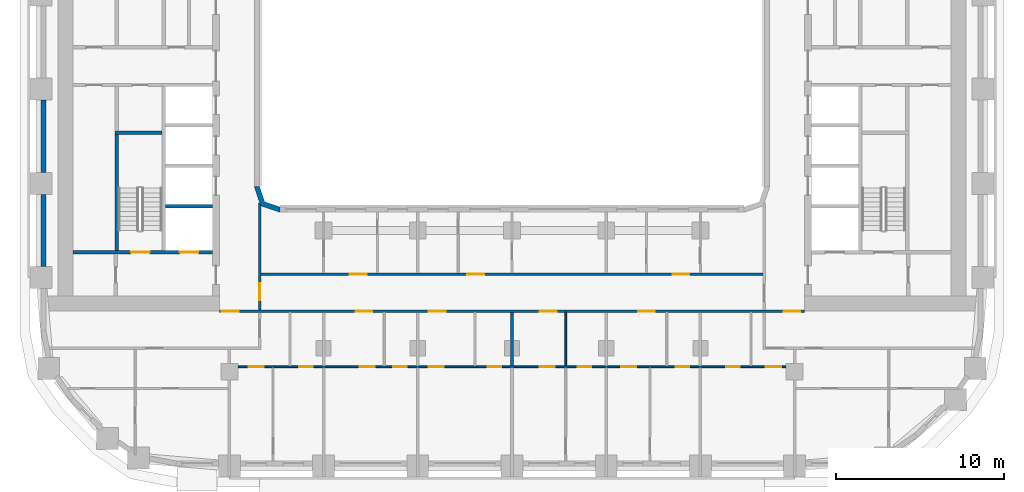
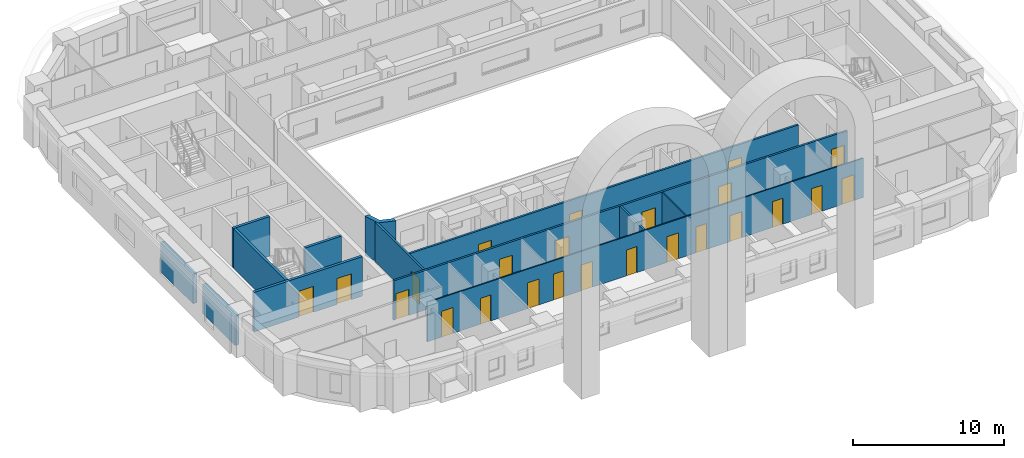
# One storey, part 3 of 19: 24 doors, 13 walls, 24 openings.
"""IFC4 building model written with IfcOpenShell, lengths in metres."""

from ifc_helpers import new_model, si_unit, direction, frame, frame_2d, origin, place, context, subcontext, project, spatial, polyline, rectangle, outline, extrude, material, layer, layer_set, type_object, element, fill, save


model = new_model("IFC4")

# Units and contexts
model_context = context("Model", 3, precision=1e-05, world=origin(), true_north=direction((0.0, 1.0)))
body_context = subcontext(model_context, "Body", "Model", "MODEL_VIEW")
ifc_project = project(units=[si_unit("LENGTHUNIT", "METRE"), si_unit("AREAUNIT", "SQUARE_METRE"), si_unit("VOLUMEUNIT", "CUBIC_METRE"), si_unit("PLANEANGLEUNIT", "RADIAN"), si_unit("MASSUNIT", "GRAM", prefix="KILO")], contexts=[model_context])

# Site, building, storey
site_placement = place(None, origin())
site = spatial("IfcSite", under=ifc_project, at=site_placement, CompositionType="ELEMENT")
building_placement = place(site_placement, origin())
building = spatial("IfcBuilding", under=site, at=building_placement, Name="Kiln Ring Residences", CompositionType="ELEMENT")
storey_placement = place(building_placement, frame((0.0, 0.0, 104.300048828125)))
storey = spatial("IfcBuildingStorey", under=building, at=storey_placement, Name="L26", CompositionType="ELEMENT", Elevation=104.300048828125)

# Wall
ifc_material_1 = material(Name="Gypsum shaft wall system")
ifc_layer_1 = layer(ifc_material_1, 0.199951171875)
ifc_layer_set_1 = layer_set([ifc_layer_1], Name="CORE-SHAFT-WALL-200")
wall_type_1 = type_object("IfcWallType", Name="CORE-SHAFT-WALL-200", PredefinedType="PARTITIONING", material=ifc_layer_set_1)
wall_1_placement = place(storey_placement, frame((-17.800048828125, -6.949951171875, 0.0), z_axis=(0.0, 0.0, 1.0), x_axis=(-1.0, 0.0, 0.0)))
element("IfcWall", 1, at=wall_1_placement, inside=storey, type_object=wall_type_1, Name="Core partition west L26 7", PredefinedType="PARTITIONING", context=body_context, shape_type="SweptSolid", body=[
    extrude(rectangle(XDim=2.800048828125, YDim=0.199951171875, at=frame_2d((1.39990234375, 0.0))), origin(), (0.0, 0.0, 1.0), 3.199951171875),
])

# Wall, openings, doors
ifc_material_2 = material(Name="Concrete C40/50", Category="concrete")
ifc_layer_2 = layer(ifc_material_2, 0.199951171875)
ifc_layer_set_2 = layer_set([ifc_layer_2], Name="CORE-WALL-RC200")
wall_type_2 = type_object("IfcWallType", Name="CORE-WALL-RC200", PredefinedType="SHEAR", material=ifc_layer_set_2)
wall_2_placement = place(storey_placement, frame((-17.800048828125, -9.699951171875, 0.0), z_axis=(0.0, 0.0, 1.0), x_axis=(-1.0, 0.0, 0.0)))
wall_2 = element("IfcWall", 2, at=wall_2_placement, inside=storey, type_object=wall_type_2, Name="Core wall west L26 8", PredefinedType="SHEAR", context=body_context, shape_type="SweptSolid", body=[
    extrude(rectangle(XDim=8.300048828125, YDim=0.199951171875, at=frame_2d((4.14990234375, 0.0))), origin(), (0.0, 0.0, 1.0), 3.199951171875),
])
opening_1_placement = place(wall_2_placement, frame((0.85009765625, 0.0, 0.0)))
opening_1 = element("IfcOpeningElement", 3, at=opening_1_placement, cuts=wall_2, Name="Opening L26-CW01", PredefinedType="OPENING", context=body_context, shape_type="SweptSolid", body=[
    extrude(rectangle(XDim=1.10009765625, YDim=2.10009765625, at=frame_2d((0.550048828125, 1.050048828125))), frame((0.0, 0.10986328125, 0.0), z_axis=(0.0, -1.0, 0.0), x_axis=(1.0, 0.0, 0.0)), (0.0, 0.0, 1.0), 0.219970703125),
])
opening_2_placement = place(wall_2_placement, frame((3.75, 0.0, 0.0)))
opening_2 = element("IfcOpeningElement", 4, at=opening_2_placement, cuts=wall_2, Name="Opening L26-CW13", PredefinedType="OPENING", context=body_context, shape_type="SweptSolid", body=[
    extrude(rectangle(XDim=1.10009765625, YDim=2.10009765625, at=frame_2d((0.550048828125, 1.050048828125))), frame((0.0, 0.10986328125, 0.0), z_axis=(0.0, -1.0, 0.0), x_axis=(1.0, 0.0, 0.0)), (0.0, 0.0, 1.0), 0.219970703125),
])
ifc_material_3 = material(Name="Steel door leaf", Category="steel")
door_type_1 = type_object("IfcDoorType", Name="CORE-DOOR-LD", OperationType="DOUBLE_DOOR_SLIDING", PredefinedType="DOOR", material=ifc_material_3)
door_1_placement = place(opening_1_placement, origin())
door_1 = element("IfcDoor", 5, at=door_1_placement, inside=storey, type_object=door_type_1, Name="LD W-SV L26-CW01", OperationType="DOUBLE_DOOR_SLIDING", OverallHeight=2.10009765625, OverallWidth=1.10009765625, PredefinedType="DOOR", context=body_context, shape_type="SweptSolid", body=[
    extrude(rectangle(XDim=1.10009765625, YDim=2.10009765625, at=frame_2d((0.550048828125, 1.050048828125))), frame((0.0, 0.02490234375, 0.0), z_axis=(0.0, -1.0, 0.0), x_axis=(1.0, 0.0, 0.0)), (0.0, 0.0, 1.0), 0.050048828125),
])
fill(opening_1, door_1)
ifc_material_4 = material(Name="Steel door leaf", Category="steel")
door_type_2 = type_object("IfcDoorType", Name="CORE-DOOR-STAIR", OperationType="SINGLE_SWING_LEFT", PredefinedType="DOOR", material=ifc_material_4)
door_2_placement = place(opening_2_placement, origin())
door_2 = element("IfcDoor", 6, at=door_2_placement, inside=storey, type_object=door_type_2, Name="Stair W-STS L26-CW13", OperationType="SINGLE_SWING_RIGHT", OverallHeight=2.10009765625, OverallWidth=1.10009765625, PredefinedType="DOOR", context=body_context, shape_type="SweptSolid", body=[
    extrude(rectangle(XDim=1.10009765625, YDim=2.10009765625, at=frame_2d((0.550048828125, 1.050048828125))), frame((0.0, 0.02490234375, 0.0), z_axis=(0.0, -1.0, 0.0), x_axis=(1.0, 0.0, 0.0)), (0.0, 0.0, 1.0), 0.050048828125),
])
fill(opening_2, door_2)

# Walls
wall_3_placement = place(storey_placement, frame((-23.5, -9.60009765625, 0.0), z_axis=(0.0, 0.0, 1.0), x_axis=(0.0, 1.0, 0.0)))
element("IfcWall", 7, at=wall_3_placement, inside=storey, type_object=wall_type_2, Name="Core wall west L26 11", PredefinedType="SHEAR", context=body_context, shape_type="SweptSolid", body=[
    extrude(rectangle(XDim=6.900146484375, YDim=0.199951171875, at=frame_2d((3.4501953125, 0.0))), origin(), (0.0, 0.0, 1.0), 3.199951171875),
])
wall_4_placement = place(storey_placement, frame((-20.800048828125, -2.60009765625, 0.0), z_axis=(0.0, 0.0, 1.0), x_axis=(-1.0, 0.0, 0.0)))
element("IfcWall", 8, at=wall_4_placement, inside=storey, type_object=wall_type_2, Name="Core wall west L26 12", PredefinedType="SHEAR", context=body_context, shape_type="SweptSolid", body=[
    extrude(rectangle(XDim=2.800048828125, YDim=0.199951171875, at=frame_2d((1.39990234375, 0.0))), origin(), (0.0, 0.0, 1.0), 3.199951171875),
])
ifc_material_5 = material(Name="Brick masonry, dark clay brick", Category="masonry")
ifc_layer_3 = layer(ifc_material_5, 0.300048828125)
ifc_layer_set_3 = layer_set([ifc_layer_3], Name="EW-300 BRICK WALL")
wall_type_3 = type_object("IfcWallType", Name="EW-300 BRICK WALL", PredefinedType="SOLIDWALL", material=ifc_layer_set_3)
for number, where, z_axis, x_axis, name in (
    (9, (-27.85009765625, -0.64990234375, 0.0), (0.0, 0.0, 1.0), (0.0, -1.0, 0.0), "Facade wall L26 44"),
    (10, (-27.85009765625, -6.25, 0.0), (0.0, 0.0, 1.0), (0.0, -1.0, 0.0), "Facade wall L26 45"),
):
    element("IfcWall", number, at=place(storey_placement, frame(where, z_axis=z_axis, x_axis=x_axis)), inside=storey, type_object=wall_type_3, Name=name, PredefinedType="SOLIDWALL", context=body_context, shape_type="SweptSolid", body=[
        extrude(rectangle(XDim=4.300048828125, YDim=0.300048828125, at=frame_2d((2.14990234375, 0.0))), origin(), (0.0, 0.0, 1.0), 2.39990234375),
    ])
wall_5_placement = place(storey_placement, origin())
element("IfcWall", 11, at=wall_5_placement, inside=storey, type_object=wall_type_3, Name="Corner wall L26 4", PredefinedType="SOLIDWALL", context=body_context, shape_type="SweptSolid", body=[
    extrude(outline(polyline([(-14.937255859375, -6.937255859375), (-13.8486328125, -7.300048828125), (-13.800048828125, -7.300048828125), (-13.800048828125, -7.0), (-14.699951171875, -6.699951171875), (-15.0, -5.800048828125), (-15.300048828125, -5.800048828125), (-15.300048828125, -5.8486328125), (-14.937255859375, -6.937255859375)])), origin(), (0.0, 0.0, 1.0), 3.199951171875),
])

# Wall, openings, doors
ifc_material_6 = material(Name="Gypsum board on steel studs", Category="steel")
ifc_layer_4 = layer(ifc_material_6, 0.10009765625)
ifc_layer_set_4 = layer_set([ifc_layer_4], Name="PARTITION-100")
wall_type_4 = type_object("IfcWallType", Name="PARTITION-100", PredefinedType="PARTITIONING", material=ifc_layer_set_4)
wall_6_placement = place(storey_placement, frame((-16.72509765625, -16.5, 0.0), z_axis=(0.0, 0.0, 1.0), x_axis=(1.0, 0.0, 0.0)))
wall_6 = element("IfcWall", 12, at=wall_6_placement, inside=storey, type_object=wall_type_4, Name="Partition 002", PredefinedType="PARTITIONING", context=body_context, shape_type="SweptSolid", body=[
    extrude(rectangle(XDim=33.4501953125, YDim=0.10009765625, at=frame_2d((16.72509765625, 0.0))), origin(), (0.0, 0.0, 1.0), 3.199951171875),
])
opening_3_placement = place(wall_6_placement, frame((4.074951171875, 0.0, 0.0)))
opening_3 = element("IfcOpeningElement", 13, at=opening_3_placement, cuts=wall_6, Name="Opening L26-D053", PredefinedType="OPENING", context=body_context, shape_type="SweptSolid", body=[
    extrude(rectangle(XDim=0.800048828125, YDim=2.10009765625, at=frame_2d((0.39990234375, 1.050048828125))), frame((0.0, 0.06005859375, 0.0), z_axis=(0.0, -1.0, 0.0), x_axis=(1.0, 0.0, 0.0)), (0.0, 0.0, 1.0), 0.1201171875),
])
opening_4_placement = place(wall_6_placement, frame((1.074951171875, 0.0, 0.0)))
opening_4 = element("IfcOpeningElement", 14, at=opening_4_placement, cuts=wall_6, Name="Opening L26-D054", PredefinedType="OPENING", context=body_context, shape_type="SweptSolid", body=[
    extrude(rectangle(XDim=0.89990234375, YDim=2.10009765625, at=frame_2d((0.449951171875, 1.050048828125))), frame((0.0, 0.06005859375, 0.0), z_axis=(0.0, -1.0, 0.0), x_axis=(1.0, 0.0, 0.0)), (0.0, 0.0, 1.0), 0.1201171875),
])
opening_5_placement = place(wall_6_placement, frame((9.675048828125, 0.0, 0.0)))
opening_5 = element("IfcOpeningElement", 15, at=opening_5_placement, cuts=wall_6, Name="Opening L26-D057", PredefinedType="OPENING", context=body_context, shape_type="SweptSolid", body=[
    extrude(rectangle(XDim=0.800048828125, YDim=2.10009765625, at=frame_2d((0.39990234375, 1.050048828125))), frame((0.0, 0.06005859375, 0.0), z_axis=(0.0, -1.0, 0.0), x_axis=(1.0, 0.0, 0.0)), (0.0, 0.0, 1.0), 0.1201171875),
])
opening_6_placement = place(wall_6_placement, frame((7.675048828125, 0.0, 0.0)))
opening_6 = element("IfcOpeningElement", 16, at=opening_6_placement, cuts=wall_6, Name="Opening L26-D058", PredefinedType="OPENING", context=body_context, shape_type="SweptSolid", body=[
    extrude(rectangle(XDim=0.89990234375, YDim=2.10009765625, at=frame_2d((0.449951171875, 1.050048828125))), frame((0.0, 0.06005859375, 0.0), z_axis=(0.0, -1.0, 0.0), x_axis=(1.0, 0.0, 0.0)), (0.0, 0.0, 1.0), 0.1201171875),
])
opening_7_placement = place(wall_6_placement, frame((15.27490234375, 0.0, 0.0)))
opening_7 = element("IfcOpeningElement", 17, at=opening_7_placement, cuts=wall_6, Name="Opening L26-D060", PredefinedType="OPENING", context=body_context, shape_type="SweptSolid", body=[
    extrude(rectangle(XDim=0.800048828125, YDim=2.10009765625, at=frame_2d((0.39990234375, 1.050048828125))), frame((0.0, 0.06005859375, 0.0), z_axis=(0.0, -1.0, 0.0), x_axis=(1.0, 0.0, 0.0)), (0.0, 0.0, 1.0), 0.1201171875),
])
opening_8_placement = place(wall_6_placement, frame((11.77490234375, 0.0, 0.0)))
opening_8 = element("IfcOpeningElement", 18, at=opening_8_placement, cuts=wall_6, Name="Opening L26-D061", PredefinedType="OPENING", context=body_context, shape_type="SweptSolid", body=[
    extrude(rectangle(XDim=0.89990234375, YDim=2.10009765625, at=frame_2d((0.449951171875, 1.050048828125))), frame((0.0, 0.06005859375, 0.0), z_axis=(0.0, -1.0, 0.0), x_axis=(1.0, 0.0, 0.0)), (0.0, 0.0, 1.0), 0.1201171875),
])
opening_9_placement = place(wall_6_placement, frame((20.625, 0.0, 0.0)))
opening_9 = element("IfcOpeningElement", 19, at=opening_9_placement, cuts=wall_6, Name="Opening L26-D063", PredefinedType="OPENING", context=body_context, shape_type="SweptSolid", body=[
    extrude(rectangle(XDim=0.800048828125, YDim=2.10009765625, at=frame_2d((0.39990234375, 1.050048828125))), frame((0.0, 0.06005859375, 0.0), z_axis=(0.0, -1.0, 0.0), x_axis=(1.0, 0.0, 0.0)), (0.0, 0.0, 1.0), 0.1201171875),
])
opening_10_placement = place(wall_6_placement, frame((18.375, 0.0, 0.0)))
opening_10 = element("IfcOpeningElement", 20, at=opening_10_placement, cuts=wall_6, Name="Opening L26-D064", PredefinedType="OPENING", context=body_context, shape_type="SweptSolid", body=[
    extrude(rectangle(XDim=0.89990234375, YDim=2.10009765625, at=frame_2d((0.449951171875, 1.050048828125))), frame((0.0, 0.06005859375, 0.0), z_axis=(0.0, -1.0, 0.0), x_axis=(1.0, 0.0, 0.0)), (0.0, 0.0, 1.0), 0.1201171875),
])
opening_11_placement = place(wall_6_placement, frame((26.47509765625, 0.0, 0.0)))
opening_11 = element("IfcOpeningElement", 21, at=opening_11_placement, cuts=wall_6, Name="Opening L26-D067", PredefinedType="OPENING", context=body_context, shape_type="SweptSolid", body=[
    extrude(rectangle(XDim=0.800048828125, YDim=2.10009765625, at=frame_2d((0.39990234375, 1.050048828125))), frame((0.0, 0.06005859375, 0.0), z_axis=(0.0, -1.0, 0.0), x_axis=(1.0, 0.0, 0.0)), (0.0, 0.0, 1.0), 0.1201171875),
])
opening_12_placement = place(wall_6_placement, frame((23.22509765625, 0.0, 0.0)))
opening_12 = element("IfcOpeningElement", 22, at=opening_12_placement, cuts=wall_6, Name="Opening L26-D068", PredefinedType="OPENING", context=body_context, shape_type="SweptSolid", body=[
    extrude(rectangle(XDim=0.89990234375, YDim=2.10009765625, at=frame_2d((0.449951171875, 1.050048828125))), frame((0.0, 0.06005859375, 0.0), z_axis=(0.0, -1.0, 0.0), x_axis=(1.0, 0.0, 0.0)), (0.0, 0.0, 1.0), 0.1201171875),
])
opening_13_placement = place(wall_6_placement, frame((29.47509765625, 0.0, 0.0)))
opening_13 = element("IfcOpeningElement", 23, at=opening_13_placement, cuts=wall_6, Name="Opening L26-D071", PredefinedType="OPENING", context=body_context, shape_type="SweptSolid", body=[
    extrude(rectangle(XDim=0.800048828125, YDim=2.10009765625, at=frame_2d((0.39990234375, 1.050048828125))), frame((0.0, 0.06005859375, 0.0), z_axis=(0.0, -1.0, 0.0), x_axis=(1.0, 0.0, 0.0)), (0.0, 0.0, 1.0), 0.1201171875),
])
opening_14_placement = place(wall_6_placement, frame((31.824951171875, 0.0, 0.0)))
opening_14 = element("IfcOpeningElement", 24, at=opening_14_placement, cuts=wall_6, Name="Opening L26-D072", PredefinedType="OPENING", context=body_context, shape_type="SweptSolid", body=[
    extrude(rectangle(XDim=0.89990234375, YDim=2.10009765625, at=frame_2d((0.449951171875, 1.050048828125))), frame((0.0, 0.06005859375, 0.0), z_axis=(0.0, -1.0, 0.0), x_axis=(1.0, 0.0, 0.0)), (0.0, 0.0, 1.0), 0.1201171875),
])
ifc_material_7 = material(Name="Timber door leaf", Category="wood")
door_type_3 = type_object("IfcDoorType", Name="FLAT-DOOR-800-PL", OperationType="SINGLE_SWING_LEFT", PredefinedType="DOOR", material=ifc_material_7)
door_3_placement = place(opening_3_placement, origin())
door_3 = element("IfcDoor", 25, at=door_3_placement, inside=storey, type_object=door_type_3, Name="Door L26-D053", OperationType="SINGLE_SWING_LEFT", OverallHeight=2.10009765625, OverallWidth=0.800048828125, PredefinedType="DOOR", context=body_context, shape_type="SweptSolid", body=[
    extrude(rectangle(XDim=0.800048828125, YDim=2.10009765625, at=frame_2d((0.39990234375, 1.050048828125))), frame((0.0, 0.02490234375, 0.0), z_axis=(0.0, -1.0, 0.0), x_axis=(1.0, 0.0, 0.0)), (0.0, 0.0, 1.0), 0.050048828125),
])
fill(opening_3, door_3)
door_4_placement = place(opening_5_placement, origin())
door_4 = element("IfcDoor", 26, at=door_4_placement, inside=storey, type_object=door_type_3, Name="Door L26-D057", OperationType="SINGLE_SWING_LEFT", OverallHeight=2.10009765625, OverallWidth=0.800048828125, PredefinedType="DOOR", context=body_context, shape_type="SweptSolid", body=[
    extrude(rectangle(XDim=0.800048828125, YDim=2.10009765625, at=frame_2d((0.39990234375, 1.050048828125))), frame((0.0, 0.02490234375, 0.0), z_axis=(0.0, -1.0, 0.0), x_axis=(1.0, 0.0, 0.0)), (0.0, 0.0, 1.0), 0.050048828125),
])
fill(opening_5, door_4)
door_5_placement = place(opening_7_placement, origin())
door_5 = element("IfcDoor", 27, at=door_5_placement, inside=storey, type_object=door_type_3, Name="Door L26-D060", OperationType="SINGLE_SWING_RIGHT", OverallHeight=2.10009765625, OverallWidth=0.800048828125, PredefinedType="DOOR", context=body_context, shape_type="SweptSolid", body=[
    extrude(rectangle(XDim=0.800048828125, YDim=2.10009765625, at=frame_2d((0.39990234375, 1.050048828125))), frame((0.0, 0.02490234375, 0.0), z_axis=(0.0, -1.0, 0.0), x_axis=(1.0, 0.0, 0.0)), (0.0, 0.0, 1.0), 0.050048828125),
])
fill(opening_7, door_5)
door_6_placement = place(opening_9_placement, origin())
door_6 = element("IfcDoor", 28, at=door_6_placement, inside=storey, type_object=door_type_3, Name="Door L26-D063", OperationType="SINGLE_SWING_LEFT", OverallHeight=2.10009765625, OverallWidth=0.800048828125, PredefinedType="DOOR", context=body_context, shape_type="SweptSolid", body=[
    extrude(rectangle(XDim=0.800048828125, YDim=2.10009765625, at=frame_2d((0.39990234375, 1.050048828125))), frame((0.0, 0.02490234375, 0.0), z_axis=(0.0, -1.0, 0.0), x_axis=(1.0, 0.0, 0.0)), (0.0, 0.0, 1.0), 0.050048828125),
])
fill(opening_9, door_6)
door_7_placement = place(opening_11_placement, origin())
door_7 = element("IfcDoor", 29, at=door_7_placement, inside=storey, type_object=door_type_3, Name="Door L26-D067", OperationType="SINGLE_SWING_LEFT", OverallHeight=2.10009765625, OverallWidth=0.800048828125, PredefinedType="DOOR", context=body_context, shape_type="SweptSolid", body=[
    extrude(rectangle(XDim=0.800048828125, YDim=2.10009765625, at=frame_2d((0.39990234375, 1.050048828125))), frame((0.0, 0.02490234375, 0.0), z_axis=(0.0, -1.0, 0.0), x_axis=(1.0, 0.0, 0.0)), (0.0, 0.0, 1.0), 0.050048828125),
])
fill(opening_11, door_7)
door_8_placement = place(opening_13_placement, origin())
door_8 = element("IfcDoor", 30, at=door_8_placement, inside=storey, type_object=door_type_3, Name="Door L26-D071", OperationType="SINGLE_SWING_LEFT", OverallHeight=2.10009765625, OverallWidth=0.800048828125, PredefinedType="DOOR", context=body_context, shape_type="SweptSolid", body=[
    extrude(rectangle(XDim=0.800048828125, YDim=2.10009765625, at=frame_2d((0.39990234375, 1.050048828125))), frame((0.0, 0.02490234375, 0.0), z_axis=(0.0, -1.0, 0.0), x_axis=(1.0, 0.0, 0.0)), (0.0, 0.0, 1.0), 0.050048828125),
])
fill(opening_13, door_8)
ifc_material_8 = material(Name="Timber door leaf", Category="wood")
door_type_4 = type_object("IfcDoorType", Name="FLAT-DOOR-900-PL", OperationType="SINGLE_SWING_LEFT", PredefinedType="DOOR", material=ifc_material_8)
door_9_placement = place(opening_4_placement, origin())
door_9 = element("IfcDoor", 31, at=door_9_placement, inside=storey, type_object=door_type_4, Name="Door L26-D054", OperationType="SINGLE_SWING_RIGHT", OverallHeight=2.10009765625, OverallWidth=0.89990234375, PredefinedType="DOOR", context=body_context, shape_type="SweptSolid", body=[
    extrude(rectangle(XDim=0.89990234375, YDim=2.10009765625, at=frame_2d((0.449951171875, 1.050048828125))), frame((0.0, 0.02490234375, 0.0), z_axis=(0.0, -1.0, 0.0), x_axis=(1.0, 0.0, 0.0)), (0.0, 0.0, 1.0), 0.050048828125),
])
fill(opening_4, door_9)
door_10_placement = place(opening_6_placement, origin())
door_10 = element("IfcDoor", 32, at=door_10_placement, inside=storey, type_object=door_type_4, Name="Door L26-D058", OperationType="SINGLE_SWING_RIGHT", OverallHeight=2.10009765625, OverallWidth=0.89990234375, PredefinedType="DOOR", context=body_context, shape_type="SweptSolid", body=[
    extrude(rectangle(XDim=0.89990234375, YDim=2.10009765625, at=frame_2d((0.449951171875, 1.050048828125))), frame((0.0, 0.02490234375, 0.0), z_axis=(0.0, -1.0, 0.0), x_axis=(1.0, 0.0, 0.0)), (0.0, 0.0, 1.0), 0.050048828125),
])
fill(opening_6, door_10)
door_11_placement = place(opening_8_placement, origin())
door_11 = element("IfcDoor", 33, at=door_11_placement, inside=storey, type_object=door_type_4, Name="Door L26-D061", OperationType="SINGLE_SWING_LEFT", OverallHeight=2.10009765625, OverallWidth=0.89990234375, PredefinedType="DOOR", context=body_context, shape_type="SweptSolid", body=[
    extrude(rectangle(XDim=0.89990234375, YDim=2.10009765625, at=frame_2d((0.449951171875, 1.050048828125))), frame((0.0, 0.02490234375, 0.0), z_axis=(0.0, -1.0, 0.0), x_axis=(1.0, 0.0, 0.0)), (0.0, 0.0, 1.0), 0.050048828125),
])
fill(opening_8, door_11)
door_12_placement = place(opening_10_placement, origin())
door_12 = element("IfcDoor", 34, at=door_12_placement, inside=storey, type_object=door_type_4, Name="Door L26-D064", OperationType="SINGLE_SWING_RIGHT", OverallHeight=2.10009765625, OverallWidth=0.89990234375, PredefinedType="DOOR", context=body_context, shape_type="SweptSolid", body=[
    extrude(rectangle(XDim=0.89990234375, YDim=2.10009765625, at=frame_2d((0.449951171875, 1.050048828125))), frame((0.0, 0.02490234375, 0.0), z_axis=(0.0, -1.0, 0.0), x_axis=(1.0, 0.0, 0.0)), (0.0, 0.0, 1.0), 0.050048828125),
])
fill(opening_10, door_12)
door_13_placement = place(opening_12_placement, origin())
door_13 = element("IfcDoor", 35, at=door_13_placement, inside=storey, type_object=door_type_4, Name="Door L26-D068", OperationType="SINGLE_SWING_RIGHT", OverallHeight=2.10009765625, OverallWidth=0.89990234375, PredefinedType="DOOR", context=body_context, shape_type="SweptSolid", body=[
    extrude(rectangle(XDim=0.89990234375, YDim=2.10009765625, at=frame_2d((0.449951171875, 1.050048828125))), frame((0.0, 0.02490234375, 0.0), z_axis=(0.0, -1.0, 0.0), x_axis=(1.0, 0.0, 0.0)), (0.0, 0.0, 1.0), 0.050048828125),
])
fill(opening_12, door_13)
door_14_placement = place(opening_14_placement, origin())
door_14 = element("IfcDoor", 36, at=door_14_placement, inside=storey, type_object=door_type_4, Name="Door L26-D072", OperationType="SINGLE_SWING_RIGHT", OverallHeight=2.10009765625, OverallWidth=0.89990234375, PredefinedType="DOOR", context=body_context, shape_type="SweptSolid", body=[
    extrude(rectangle(XDim=0.89990234375, YDim=2.10009765625, at=frame_2d((0.449951171875, 1.050048828125))), frame((0.0, 0.02490234375, 0.0), z_axis=(0.0, -1.0, 0.0), x_axis=(1.0, 0.0, 0.0)), (0.0, 0.0, 1.0), 0.050048828125),
])
fill(opening_14, door_14)

# Wall
wall_7_placement = place(storey_placement, frame((3.199951171875, -16.449951171875, 0.0), z_axis=(0.0, 0.0, 1.0), x_axis=(0.0, 1.0, 0.0)))
element("IfcWall", 37, at=wall_7_placement, inside=storey, type_object=wall_type_4, Name="Partition 054", PredefinedType="PARTITIONING", context=body_context, shape_type="SweptSolid", body=[
    extrude(rectangle(XDim=3.175048828125, YDim=0.10009765625, at=frame_2d((1.58740234375, 0.0))), origin(), (0.0, 0.0, 1.0), 3.199951171875),
])

# Wall, openings, doors
ifc_material_9 = material(Name="Brick masonry partition", Category="masonry")
ifc_layer_5 = layer(ifc_material_9, 0.14990234375)
ifc_layer_set_5 = layer_set([ifc_layer_5], Name="PARTITION-150-ei60")
wall_type_5 = type_object("IfcWallType", Name="PARTITION-150-ei60", PredefinedType="PARTITIONING", material=ifc_layer_set_5)
wall_8_placement = place(storey_placement, frame((-17.39990234375, -13.199951171875, 0.0), z_axis=(0.0, 0.0, 1.0), x_axis=(1.0, 0.0, 0.0)))
wall_8 = element("IfcWall", 38, at=wall_8_placement, inside=storey, type_object=wall_type_5, Name="Partition 005", PredefinedType="PARTITIONING", context=body_context, shape_type="SweptSolid", body=[
    extrude(rectangle(XDim=34.7998046875, YDim=0.14990234375, at=frame_2d((17.39990234375, 0.0))), origin(), (0.0, 0.0, 1.0), 3.199951171875),
])
opening_15_placement = place(wall_8_placement, frame((0.14990234375, 0.0, 0.0)))
opening_15 = element("IfcOpeningElement", 39, at=opening_15_placement, cuts=wall_8, Name="Opening L26-D007", PredefinedType="OPENING", context=body_context, shape_type="SweptSolid", body=[
    extrude(rectangle(XDim=1.0, YDim=2.10009765625, at=frame_2d((0.5, 1.050048828125))), frame((0.0, 0.0849609375, 0.0), z_axis=(0.0, -1.0, 0.0), x_axis=(1.0, 0.0, 0.0)), (0.0, 0.0, 1.0), 0.169921875),
])
opening_16_placement = place(wall_8_placement, frame((33.550048828125, 0.0, 0.0)))
opening_16 = element("IfcOpeningElement", 40, at=opening_16_placement, cuts=wall_8, Name="Opening L26-D008", PredefinedType="OPENING", context=body_context, shape_type="SweptSolid", body=[
    extrude(rectangle(XDim=1.0, YDim=2.10009765625, at=frame_2d((0.5, 1.050048828125))), frame((0.0, 0.0849609375, 0.0), z_axis=(0.0, -1.0, 0.0), x_axis=(1.0, 0.0, 0.0)), (0.0, 0.0, 1.0), 0.169921875),
])
opening_17_placement = place(wall_8_placement, frame((8.10009765625, 0.0, 0.0)))
opening_17 = element("IfcOpeningElement", 41, at=opening_17_placement, cuts=wall_8, Name="Opening L26-D056", PredefinedType="OPENING", context=body_context, shape_type="SweptSolid", body=[
    extrude(rectangle(XDim=1.0, YDim=2.10009765625, at=frame_2d((0.5, 1.050048828125))), frame((0.0, 0.0849609375, 0.0), z_axis=(0.0, -1.0, 0.0), x_axis=(1.0, 0.0, 0.0)), (0.0, 0.0, 1.0), 0.169921875),
])
opening_18_placement = place(wall_8_placement, frame((12.449951171875, 0.0, 0.0)))
opening_18 = element("IfcOpeningElement", 42, at=opening_18_placement, cuts=wall_8, Name="Opening L26-D059", PredefinedType="OPENING", context=body_context, shape_type="SweptSolid", body=[
    extrude(rectangle(XDim=1.0, YDim=2.10009765625, at=frame_2d((0.5, 1.050048828125))), frame((0.0, 0.0849609375, 0.0), z_axis=(0.0, -1.0, 0.0), x_axis=(1.0, 0.0, 0.0)), (0.0, 0.0, 1.0), 0.169921875),
])
opening_19_placement = place(wall_8_placement, frame((19.050048828125, 0.0, 0.0)))
opening_19 = element("IfcOpeningElement", 43, at=opening_19_placement, cuts=wall_8, Name="Opening L26-D062", PredefinedType="OPENING", context=body_context, shape_type="SweptSolid", body=[
    extrude(rectangle(XDim=1.0, YDim=2.10009765625, at=frame_2d((0.5, 1.050048828125))), frame((0.0, 0.0849609375, 0.0), z_axis=(0.0, -1.0, 0.0), x_axis=(1.0, 0.0, 0.0)), (0.0, 0.0, 1.0), 0.169921875),
])
opening_20_placement = place(wall_8_placement, frame((24.89990234375, 0.0, 0.0)))
opening_20 = element("IfcOpeningElement", 44, at=opening_20_placement, cuts=wall_8, Name="Opening L26-D066", PredefinedType="OPENING", context=body_context, shape_type="SweptSolid", body=[
    extrude(rectangle(XDim=1.0, YDim=2.10009765625, at=frame_2d((0.5, 1.050048828125))), frame((0.0, 0.0849609375, 0.0), z_axis=(0.0, -1.0, 0.0), x_axis=(1.0, 0.0, 0.0)), (0.0, 0.0, 1.0), 0.169921875),
])
ifc_material_10 = material(Name="Steel faced fire door leaf", Category="steel")
door_type_5 = type_object("IfcDoorType", Name="FLAT-DOOR-1000-FR", OperationType="SINGLE_SWING_LEFT", PredefinedType="DOOR", material=ifc_material_10)
door_15_placement = place(opening_15_placement, origin())
door_15 = element("IfcDoor", 45, at=door_15_placement, inside=storey, type_object=door_type_5, Name="Door L26-D007", OperationType="SINGLE_SWING_RIGHT", OverallHeight=2.10009765625, OverallWidth=1.0, PredefinedType="DOOR", context=body_context, shape_type="SweptSolid", body=[
    extrude(rectangle(XDim=1.0, YDim=2.10009765625, at=frame_2d((0.5, 1.050048828125))), frame((0.0, 0.02490234375, 0.0), z_axis=(0.0, -1.0, 0.0), x_axis=(1.0, 0.0, 0.0)), (0.0, 0.0, 1.0), 0.050048828125),
])
fill(opening_15, door_15)
door_16_placement = place(opening_16_placement, origin())
door_16 = element("IfcDoor", 46, at=door_16_placement, inside=storey, type_object=door_type_5, Name="Door L26-D008", OperationType="SINGLE_SWING_LEFT", OverallHeight=2.10009765625, OverallWidth=1.0, PredefinedType="DOOR", context=body_context, shape_type="SweptSolid", body=[
    extrude(rectangle(XDim=1.0, YDim=2.10009765625, at=frame_2d((0.5, 1.050048828125))), frame((0.0, 0.02490234375, 0.0), z_axis=(0.0, -1.0, 0.0), x_axis=(1.0, 0.0, 0.0)), (0.0, 0.0, 1.0), 0.050048828125),
])
fill(opening_16, door_16)
door_17_placement = place(opening_17_placement, origin())
door_17 = element("IfcDoor", 47, at=door_17_placement, inside=storey, type_object=door_type_5, Name="Door L26-D056", OperationType="SINGLE_SWING_RIGHT", OverallHeight=2.10009765625, OverallWidth=1.0, PredefinedType="DOOR", context=body_context, shape_type="SweptSolid", body=[
    extrude(rectangle(XDim=1.0, YDim=2.10009765625, at=frame_2d((0.5, 1.050048828125))), frame((0.0, 0.02490234375, 0.0), z_axis=(0.0, -1.0, 0.0), x_axis=(1.0, 0.0, 0.0)), (0.0, 0.0, 1.0), 0.050048828125),
])
fill(opening_17, door_17)
door_18_placement = place(opening_18_placement, origin())
door_18 = element("IfcDoor", 48, at=door_18_placement, inside=storey, type_object=door_type_5, Name="Door L26-D059", OperationType="SINGLE_SWING_LEFT", OverallHeight=2.10009765625, OverallWidth=1.0, PredefinedType="DOOR", context=body_context, shape_type="SweptSolid", body=[
    extrude(rectangle(XDim=1.0, YDim=2.10009765625, at=frame_2d((0.5, 1.050048828125))), frame((0.0, 0.02490234375, 0.0), z_axis=(0.0, -1.0, 0.0), x_axis=(1.0, 0.0, 0.0)), (0.0, 0.0, 1.0), 0.050048828125),
])
fill(opening_18, door_18)
door_19_placement = place(opening_19_placement, origin())
door_19 = element("IfcDoor", 49, at=door_19_placement, inside=storey, type_object=door_type_5, Name="Door L26-D062", OperationType="SINGLE_SWING_RIGHT", OverallHeight=2.10009765625, OverallWidth=1.0, PredefinedType="DOOR", context=body_context, shape_type="SweptSolid", body=[
    extrude(rectangle(XDim=1.0, YDim=2.10009765625, at=frame_2d((0.5, 1.050048828125))), frame((0.0, 0.02490234375, 0.0), z_axis=(0.0, -1.0, 0.0), x_axis=(1.0, 0.0, 0.0)), (0.0, 0.0, 1.0), 0.050048828125),
])
fill(opening_19, door_19)
door_20_placement = place(opening_20_placement, origin())
door_20 = element("IfcDoor", 50, at=door_20_placement, inside=storey, type_object=door_type_5, Name="Door L26-D066", OperationType="SINGLE_SWING_RIGHT", OverallHeight=2.10009765625, OverallWidth=1.0, PredefinedType="DOOR", context=body_context, shape_type="SweptSolid", body=[
    extrude(rectangle(XDim=1.0, YDim=2.10009765625, at=frame_2d((0.5, 1.050048828125))), frame((0.0, 0.02490234375, 0.0), z_axis=(0.0, -1.0, 0.0), x_axis=(1.0, 0.0, 0.0)), (0.0, 0.0, 1.0), 0.050048828125),
])
fill(opening_20, door_20)

wall_9_placement = place(storey_placement, frame((-14.925048828125, -11.0, 0.0), z_axis=(0.0, 0.0, 1.0), x_axis=(1.0, 0.0, 0.0)))
wall_9 = element("IfcWall", 51, at=wall_9_placement, inside=storey, type_object=wall_type_5, Name="Partition 006", PredefinedType="PARTITIONING", context=body_context, shape_type="SweptSolid", body=[
    extrude(rectangle(XDim=29.85009765625, YDim=0.14990234375, at=frame_2d((14.925048828125, 0.0))), origin(), (0.0, 0.0, 1.0), 3.199951171875),
])
opening_21_placement = place(wall_9_placement, frame((5.27490234375, 0.0, 0.0)))
opening_21 = element("IfcOpeningElement", 52, at=opening_21_placement, cuts=wall_9, Name="Opening L26-D043", PredefinedType="OPENING", context=body_context, shape_type="SweptSolid", body=[
    extrude(rectangle(XDim=1.0, YDim=2.10009765625, at=frame_2d((0.5, 1.050048828125))), frame((0.0, 0.0849609375, 0.0), z_axis=(0.0, -1.0, 0.0), x_axis=(1.0, 0.0, 0.0)), (0.0, 0.0, 1.0), 0.169921875),
])
opening_22_placement = place(wall_9_placement, frame((12.27490234375, 0.0, 0.0)))
opening_22 = element("IfcOpeningElement", 53, at=opening_22_placement, cuts=wall_9, Name="Opening L26-D046", PredefinedType="OPENING", context=body_context, shape_type="SweptSolid", body=[
    extrude(rectangle(XDim=1.0, YDim=2.10009765625, at=frame_2d((0.5, 1.050048828125))), frame((0.0, 0.0849609375, 0.0), z_axis=(0.0, -1.0, 0.0), x_axis=(1.0, 0.0, 0.0)), (0.0, 0.0, 1.0), 0.169921875),
])
opening_23_placement = place(wall_9_placement, frame((24.47509765625, 0.0, 0.0)))
opening_23 = element("IfcOpeningElement", 54, at=opening_23_placement, cuts=wall_9, Name="Opening L26-D049", PredefinedType="OPENING", context=body_context, shape_type="SweptSolid", body=[
    extrude(rectangle(XDim=1.0, YDim=2.10009765625, at=frame_2d((0.5, 1.050048828125))), frame((0.0, 0.0849609375, 0.0), z_axis=(0.0, -1.0, 0.0), x_axis=(1.0, 0.0, 0.0)), (0.0, 0.0, 1.0), 0.169921875),
])
door_21_placement = place(opening_21_placement, origin())
door_21 = element("IfcDoor", 55, at=door_21_placement, inside=storey, type_object=door_type_5, Name="Door L26-D043", OperationType="SINGLE_SWING_LEFT", OverallHeight=2.10009765625, OverallWidth=1.0, PredefinedType="DOOR", context=body_context, shape_type="SweptSolid", body=[
    extrude(rectangle(XDim=1.0, YDim=2.10009765625, at=frame_2d((0.5, 1.050048828125))), frame((0.0, 0.02490234375, 0.0), z_axis=(0.0, -1.0, 0.0), x_axis=(1.0, 0.0, 0.0)), (0.0, 0.0, 1.0), 0.050048828125),
])
fill(opening_21, door_21)
door_22_placement = place(opening_22_placement, origin())
door_22 = element("IfcDoor", 56, at=door_22_placement, inside=storey, type_object=door_type_5, Name="Door L26-D046", OperationType="SINGLE_SWING_RIGHT", OverallHeight=2.10009765625, OverallWidth=1.0, PredefinedType="DOOR", context=body_context, shape_type="SweptSolid", body=[
    extrude(rectangle(XDim=1.0, YDim=2.10009765625, at=frame_2d((0.5, 1.050048828125))), frame((0.0, 0.02490234375, 0.0), z_axis=(0.0, -1.0, 0.0), x_axis=(1.0, 0.0, 0.0)), (0.0, 0.0, 1.0), 0.050048828125),
])
fill(opening_22, door_22)
door_23_placement = place(opening_23_placement, origin())
door_23 = element("IfcDoor", 57, at=door_23_placement, inside=storey, type_object=door_type_5, Name="Door L26-D049", OperationType="SINGLE_SWING_LEFT", OverallHeight=2.10009765625, OverallWidth=1.0, PredefinedType="DOOR", context=body_context, shape_type="SweptSolid", body=[
    extrude(rectangle(XDim=1.0, YDim=2.10009765625, at=frame_2d((0.5, 1.050048828125))), frame((0.0, 0.02490234375, 0.0), z_axis=(0.0, -1.0, 0.0), x_axis=(1.0, 0.0, 0.0)), (0.0, 0.0, 1.0), 0.050048828125),
])
fill(opening_23, door_23)

# Wall, opening, door
wall_10_placement = place(storey_placement, frame((-15.0, -13.125, 0.0), z_axis=(0.0, 0.0, 1.0), x_axis=(0.0, 1.0, 0.0)))
wall_10 = element("IfcWall", 58, at=wall_10_placement, inside=storey, type_object=wall_type_5, Name="Partition 021", PredefinedType="PARTITIONING", context=body_context, shape_type="SweptSolid", body=[
    extrude(rectangle(XDim=6.356201171875, YDim=0.14990234375, at=frame_2d((3.17822265625, 0.0))), origin(), (0.0, 0.0, 1.0), 3.199951171875),
])
opening_24_placement = place(wall_10_placement, frame((0.574951171875, 0.0, 0.0)))
opening_24 = element("IfcOpeningElement", 59, at=opening_24_placement, cuts=wall_10, Name="Opening L26-D005", PredefinedType="OPENING", context=body_context, shape_type="SweptSolid", body=[
    extrude(rectangle(XDim=1.0, YDim=2.10009765625, at=frame_2d((0.5, 1.050048828125))), frame((0.0, 0.0849609375, 0.0), z_axis=(0.0, -1.0, 0.0), x_axis=(1.0, 0.0, 0.0)), (0.0, 0.0, 1.0), 0.169921875),
])
door_24_placement = place(opening_24_placement, origin())
door_24 = element("IfcDoor", 60, at=door_24_placement, inside=storey, type_object=door_type_5, Name="Door L26-D005", OperationType="SINGLE_SWING_RIGHT", OverallHeight=2.10009765625, OverallWidth=1.0, PredefinedType="DOOR", context=body_context, shape_type="SweptSolid", body=[
    extrude(rectangle(XDim=1.0, YDim=2.10009765625, at=frame_2d((0.5, 1.050048828125))), frame((0.0, 0.02490234375, 0.0), z_axis=(0.0, -1.0, 0.0), x_axis=(1.0, 0.0, 0.0)), (0.0, 0.0, 1.0), 0.050048828125),
])
fill(opening_24, door_24)

# Wall
wall_11_placement = place(storey_placement, frame((0.0, -16.449951171875, 0.0), z_axis=(0.0, 0.0, 1.0), x_axis=(0.0, 1.0, 0.0)))
element("IfcWall", 61, at=wall_11_placement, inside=storey, type_object=wall_type_5, Name="Partition 051", PredefinedType="PARTITIONING", context=body_context, shape_type="SweptSolid", body=[
    extrude(rectangle(XDim=3.175048828125, YDim=0.14990234375, at=frame_2d((1.58740234375, 0.0))), origin(), (0.0, 0.0, 1.0), 3.199951171875),
])

save(model, "model.ifc")
